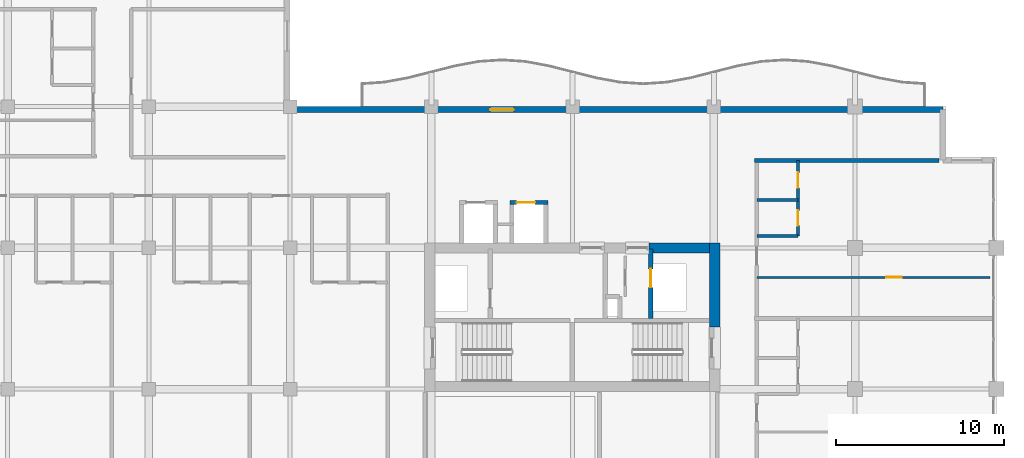
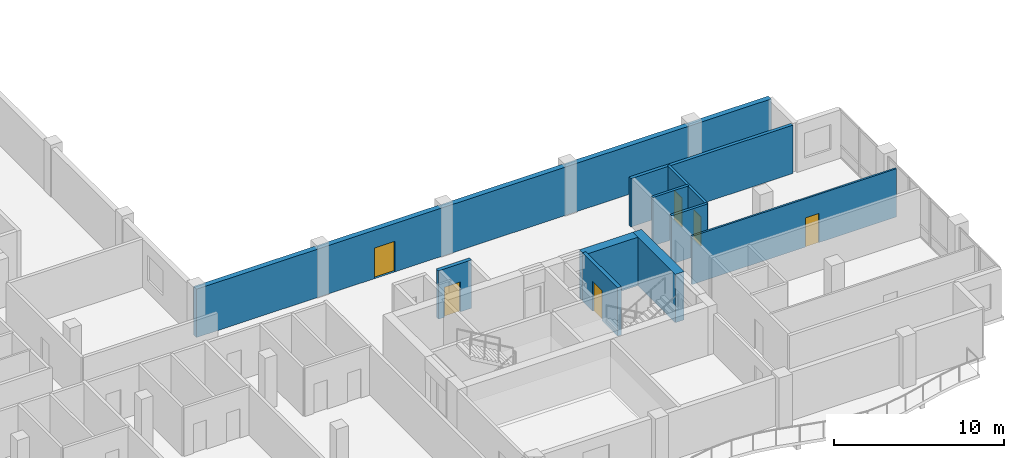
# One storey, part 8 of 16: 10 walls, 6 doors, 6 openings.
"""IFC4 building model written with IfcOpenShell, lengths in metres."""

from ifc_helpers import new_model, si_unit, direction, frame, frame_2d, origin, place, context, subcontext, project, spatial, rectangle, extrude, material, layer, layer_set, type_object, element, fill, save


model = new_model("IFC4")

# Units and contexts
model_context = context("Model", 3, precision=1e-05, world=origin(), true_north=direction((0.0, 1.0)))
body_context = subcontext(model_context, "Body", "Model", "MODEL_VIEW")
ifc_project = project(units=[si_unit("LENGTHUNIT", "METRE"), si_unit("AREAUNIT", "SQUARE_METRE"), si_unit("VOLUMEUNIT", "CUBIC_METRE"), si_unit("PLANEANGLEUNIT", "RADIAN"), si_unit("MASSUNIT", "GRAM", prefix="KILO")], contexts=[model_context])

# Site, building, storey
site_placement = place(None, origin())
site = spatial("IfcSite", under=ifc_project, at=site_placement, CompositionType="ELEMENT")
building_placement = place(site_placement, origin())
building = spatial("IfcBuilding", under=site, at=building_placement, Name="Koriwani Terraces Tower", CompositionType="ELEMENT")
storey_placement = place(building_placement, frame((0.0, 0.0, 245.300048828125)))
storey = spatial("IfcBuildingStorey", under=building, at=storey_placement, Name="L60", CompositionType="ELEMENT", Elevation=245.300048828125)

# Walls
ifc_material_1 = material(Name="Concrete C60/75", Category="concrete")
ifc_layer_1 = layer(ifc_material_1, 0.60009765625, Name="Concrete C60/75")
ifc_layer_set_1 = layer_set([ifc_layer_1], Name="Concrete C60/75")
wall_type_1 = type_object("IfcWallType", Name="WALL_CORE_RC_600", PredefinedType="SHEAR", material=ifc_layer_set_1)
wall_1_placement = place(storey_placement, frame((58.85009765625, 20.5, 0.0), z_axis=(0.0, 0.0, 1.0), x_axis=(0.0, 1.0, 0.0)))
element("IfcWall", 1, at=wall_1_placement, inside=storey, type_object=wall_type_1, Name="L60 East Split Core Shear Wall E2", PredefinedType="SHEAR", context=body_context, shape_type="SweptSolid", body=[
    extrude(rectangle(XDim=5.0, YDim=0.60009765625, at=frame_2d((2.5, 0.0))), origin(), (0.0, 0.0, 1.0), 3.469970703125),
])
wall_2_placement = place(storey_placement, frame((54.949951171875, 25.199951171875, 0.0), z_axis=(0.0, 0.0, 1.0), x_axis=(1.0, 0.0, 0.0)))
element("IfcWall", 2, at=wall_2_placement, inside=storey, type_object=wall_type_1, Name="L60 East Split Core Shear Wall N3", PredefinedType="SHEAR", context=body_context, shape_type="SweptSolid", body=[
    extrude(rectangle(XDim=3.60009765625, YDim=0.60009765625, at=frame_2d((1.800048828125, 0.0))), origin(), (0.0, 0.0, 1.0), 3.469970703125),
])
ifc_material_2 = material(Name="Autoclaved Cellular Concrete Blockwork", Category="masonry")
ifc_layer_2 = layer(ifc_material_2, 0.219970703125, Name="Autoclaved Cellular Concrete Blockwork")
ifc_layer_set_2 = layer_set([ifc_layer_2], Name="Autoclaved Cellular Concrete Blockwork")
wall_type_2 = type_object("IfcWallType", Name="WALL_DEMISING_220", PredefinedType="PARTITIONING", material=ifc_layer_set_2)
wall_3_placement = place(storey_placement, frame((61.199951171875, 30.39990234375, 0.0), z_axis=(0.0, 0.0, 1.0), x_axis=(1.0, 0.0, 0.0)))
element("IfcWall", 3, at=wall_3_placement, inside=storey, type_object=wall_type_2, Name="L60 Interior Wall WRDEME-L60-ETE", PredefinedType="PARTITIONING", context=body_context, shape_type="SweptSolid", body=[
    extrude(rectangle(XDim=10.97998046875, YDim=0.219970703125, at=frame_2d((5.489990234375, 0.0))), origin(), (0.0, 0.0, 1.0), 3.469970703125),
])

# Wall, opening, door
ifc_material_3 = material(Name="Concrete C50/60", Category="concrete")
ifc_layer_3 = layer(ifc_material_3, 0.35009765625, Name="Concrete C50/60")
ifc_layer_set_3 = layer_set([ifc_layer_3], Name="Concrete C50/60")
wall_type_3 = type_object("IfcWallType", Name="WALL_EXT_BRUTALIST_350", PredefinedType="STANDARD", material=ifc_layer_set_3)
wall_4_placement = place(storey_placement, frame((33.425048828125, 33.425048828125, 0.0), z_axis=(0.0, 0.0, 1.0), x_axis=(1.0, 0.0, 0.0)))
wall_4 = element("IfcWall", 4, at=wall_4_placement, inside=storey, type_object=wall_type_3, Name="L60 Fair-Faced Brutalist Exterior Wall (NE)", PredefinedType="STANDARD", context=body_context, shape_type="SweptSolid", body=[
    extrude(rectangle(XDim=39.0, YDim=0.35009765625, at=frame_2d((19.5, 0.0))), origin(), (0.0, 0.0, 1.0), 3.469970703125),
])
opening_1_placement = place(wall_4_placement, frame((12.074951171875, 0.0, 0.0)))
opening_1 = element("IfcOpeningElement", 5, at=opening_1_placement, cuts=wall_4, Name="Opening D-09", PredefinedType="OPENING", context=body_context, shape_type="SweptSolid", body=[
    extrude(rectangle(XDim=1.39990234375, YDim=2.199951171875, at=frame_2d((0.699951171875, 1.10009765625))), frame((0.0, 0.18505859375, 0.0), z_axis=(0.0, -1.0, 0.0), x_axis=(1.0, 0.0, 0.0)), (0.0, 0.0, 1.0), 0.3701171875),
])
ifc_material_4 = material(Name="Anodised Bronze Aluminium", Category="aluminium")
door_type_1 = type_object("IfcDoorType", Name="DOOR_BALCONY_GLAZED_1400X2200", OperationType="NOTDEFINED", PredefinedType="DOOR", material=ifc_material_4)
door_1_placement = place(opening_1_placement, origin())
door_1 = element("IfcDoor", 6, at=door_1_placement, inside=storey, type_object=door_type_1, Name="L60 Inner Court Balcony Glazed Door", OperationType="SINGLE_SWING_LEFT", OverallHeight=2.199951171875, OverallWidth=1.39990234375, PredefinedType="DOOR", context=body_context, shape_type="SweptSolid", body=[
    extrude(rectangle(XDim=1.39990234375, YDim=2.199951171875, at=frame_2d((0.699951171875, 1.10009765625))), frame((0.0, 0.02490234375, 0.0), z_axis=(0.0, -1.0, 0.0), x_axis=(1.0, 0.0, 0.0)), (0.0, 0.0, 1.0), 0.050048828125),
])
fill(opening_1, door_1)

ifc_material_5 = material(Name="Fire-Rated Acoustic Gypsum Partition", Category="masonry")
ifc_layer_4 = layer(ifc_material_5, 0.125, Name="Fire-Rated Acoustic Gypsum Partition")
ifc_layer_set_4 = layer_set([ifc_layer_4], Name="Fire-Rated Acoustic Gypsum Partition")
wall_type_4 = type_object("IfcWallType", Name="WALL_INT_125", PredefinedType="PARTITIONING", material=ifc_layer_set_4)
wall_5_placement = place(storey_placement, frame((61.35009765625, 23.449951171875, 0.0), z_axis=(0.0, 0.0, 1.0), x_axis=(1.0, 0.0, 0.0)))
wall_5 = element("IfcWall", 7, at=wall_5_placement, inside=storey, type_object=wall_type_4, Name="L60 Interior Wall WRBED1-L60-ETE-1", PredefinedType="PARTITIONING", context=body_context, shape_type="SweptSolid", body=[
    extrude(rectangle(XDim=13.869873046875, YDim=0.125, at=frame_2d((6.93505859375, 0.0))), origin(), (0.0, 0.0, 1.0), 3.469970703125),
])
opening_2_placement = place(wall_5_placement, frame((7.699951171875, 0.0, 0.0)))
opening_2 = element("IfcOpeningElement", 8, at=opening_2_placement, cuts=wall_5, Name="Opening D-06", PredefinedType="OPENING", context=body_context, shape_type="SweptSolid", body=[
    extrude(rectangle(XDim=0.919921875, YDim=2.10009765625, at=frame_2d((0.4599609375, 1.050048828125))), frame((0.0, 0.072509765625, 0.0), z_axis=(0.0, -1.0, 0.0), x_axis=(1.0, 0.0, 0.0)), (0.0, 0.0, 1.0), 0.14501953125),
])
ifc_material_6 = material(Name="Architectural Oak Fire Door", Category="wood")
door_type_2 = type_object("IfcDoorType", Name="DOOR_ROOM_INT_920X2100", OperationType="NOTDEFINED", PredefinedType="DOOR", material=ifc_material_6)
door_2_placement = place(opening_2_placement, origin())
door_2 = element("IfcDoor", 9, at=door_2_placement, inside=storey, type_object=door_type_2, Name="Apartment 60ETE2 Master Bedroom Door", OperationType="SINGLE_SWING_RIGHT", OverallHeight=2.10009765625, OverallWidth=0.919921875, PredefinedType="DOOR", context=body_context, shape_type="SweptSolid", body=[
    extrude(rectangle(XDim=0.919921875, YDim=2.10009765625, at=frame_2d((0.4599609375, 1.050048828125))), frame((0.0, 0.02490234375, 0.0), z_axis=(0.0, -1.0, 0.0), x_axis=(1.0, 0.0, 0.0)), (0.0, 0.0, 1.0), 0.050048828125),
])
fill(opening_2, door_2)

# Wall, openings, doors
ifc_layer_5 = layer(ifc_material_5, 0.179931640625, Name="Fire-Rated Acoustic Gypsum Partition")
ifc_layer_set_5 = layer_set([ifc_layer_5], Name="Fire-Rated Acoustic Gypsum Partition")
wall_type_5 = type_object("IfcWallType", Name="WALL_PLUMBING_180", PredefinedType="PLUMBINGWALL", material=ifc_layer_set_5)
wall_6_placement = place(storey_placement, frame((63.800048828125, 25.89990234375, 0.0), z_axis=(0.0, 0.0, 1.0), x_axis=(0.0, 1.0, 0.0)))
wall_6 = element("IfcWall", 10, at=wall_6_placement, inside=storey, type_object=wall_type_5, Name="L60 Interior Wall WRSVC-L60-ETE-1", PredefinedType="PLUMBINGWALL", context=body_context, shape_type="SweptSolid", body=[
    extrude(rectangle(XDim=4.5, YDim=0.179931640625, at=frame_2d((2.25, 0.0))), origin(), (0.0, 0.0, 1.0), 3.469970703125),
])
opening_3_placement = place(wall_6_placement, frame((0.6298828125, 0.0, 0.0)))
opening_3 = element("IfcOpeningElement", 11, at=opening_3_placement, cuts=wall_6, Name="Opening D-07", PredefinedType="OPENING", context=body_context, shape_type="SweptSolid", body=[
    extrude(rectangle(XDim=0.89990234375, YDim=2.10009765625, at=frame_2d((0.449951171875, 1.050048828125))), frame((0.0, 0.10009765625, 0.0), z_axis=(0.0, -1.0, 0.0), x_axis=(1.0, 0.0, 0.0)), (0.0, 0.0, 1.0), 0.199951171875),
])
opening_4_placement = place(wall_6_placement, frame((2.8701171875, 0.0, 0.0)))
opening_4 = element("IfcOpeningElement", 12, at=opening_4_placement, cuts=wall_6, Name="Opening D-06", PredefinedType="OPENING", context=body_context, shape_type="SweptSolid", body=[
    extrude(rectangle(XDim=0.919921875, YDim=2.10009765625, at=frame_2d((0.4599609375, 1.050048828125))), frame((0.0, 0.10009765625, 0.0), z_axis=(0.0, -1.0, 0.0), x_axis=(1.0, 0.0, 0.0)), (0.0, 0.0, 1.0), 0.199951171875),
])
door_type_3 = type_object("IfcDoorType", Name="DOOR_BATH_INT_900X2100", OperationType="NOTDEFINED", PredefinedType="DOOR", material=ifc_material_6)
door_3_placement = place(opening_3_placement, origin())
door_3 = element("IfcDoor", 13, at=door_3_placement, inside=storey, type_object=door_type_3, Name="Apartment 60ETE2 Bathroom Door", OperationType="SINGLE_SWING_RIGHT", OverallHeight=2.10009765625, OverallWidth=0.89990234375, PredefinedType="DOOR", context=body_context, shape_type="SweptSolid", body=[
    extrude(rectangle(XDim=0.89990234375, YDim=2.10009765625, at=frame_2d((0.449951171875, 1.050048828125))), frame((0.0, 0.02490234375, 0.0), z_axis=(0.0, -1.0, 0.0), x_axis=(1.0, 0.0, 0.0)), (0.0, 0.0, 1.0), 0.050048828125),
])
fill(opening_3, door_3)
door_4_placement = place(opening_4_placement, origin())
door_4 = element("IfcDoor", 14, at=door_4_placement, inside=storey, type_object=door_type_2, Name="Apartment 60ETE2 Kitchen Door", OperationType="SINGLE_SWING_LEFT", OverallHeight=2.10009765625, OverallWidth=0.919921875, PredefinedType="DOOR", context=body_context, shape_type="SweptSolid", body=[
    extrude(rectangle(XDim=0.919921875, YDim=2.10009765625, at=frame_2d((0.4599609375, 1.050048828125))), frame((0.0, 0.02490234375, 0.0), z_axis=(0.0, -1.0, 0.0), x_axis=(1.0, 0.0, 0.0)), (0.0, 0.0, 1.0), 0.050048828125),
])
fill(opening_4, door_4)

# Walls
for number, where, z_axis, x_axis, name in (
    (15, (61.35009765625, 25.89990234375, 0.0), (0.0, 0.0, 1.0), (1.0, 0.0, 0.0), "L60 Interior Wall WRSVCS-L60-ETE-1"),
    (16, (61.35009765625, 28.06005859375, 0.0), (0.0, 0.0, 1.0), (1.0, 0.0, 0.0), "L60 Interior Wall WRSVCM-L60-ETE-1"),
):
    element("IfcWall", number, at=place(storey_placement, frame(where, z_axis=z_axis, x_axis=x_axis)), inside=storey, type_object=wall_type_5, Name=name, PredefinedType="PLUMBINGWALL", context=body_context, shape_type="SweptSolid", body=[
        extrude(rectangle(XDim=2.449951171875, YDim=0.179931640625, at=frame_2d((1.22509765625, 0.0))), origin(), (0.0, 0.0, 1.0), 3.469970703125),
    ])

# Wall, opening, door
ifc_material_7 = material(Name="Concrete C40/50", Category="concrete")
ifc_layer_6 = layer(ifc_material_7, 0.25, Name="Concrete C40/50")
ifc_layer_set_6 = layer_set([ifc_layer_6], Name="Concrete C40/50")
wall_type_6 = type_object("IfcWallType", Name="WALL_SHAFT_RATED_250", PredefinedType="SOLIDWALL", material=ifc_layer_set_6)
wall_7_placement = place(storey_placement, frame((55.050048828125, 21.0, 0.0), z_axis=(0.0, 0.0, 1.0), x_axis=(0.0, 1.0, 0.0)))
wall_7 = element("IfcWall", 17, at=wall_7_placement, inside=storey, type_object=wall_type_6, Name="L60 Interior Wall WIN-CE-L60-SE", PredefinedType="SOLIDWALL", context=body_context, shape_type="SweptSolid", body=[
    extrude(rectangle(XDim=4.14990234375, YDim=0.25, at=frame_2d((2.074951171875, 0.0))), origin(), (0.0, 0.0, 1.0), 3.469970703125),
])
opening_5_placement = place(wall_7_placement, frame((1.85009765625, 0.0, 0.0)))
opening_5 = element("IfcOpeningElement", 18, at=opening_5_placement, cuts=wall_7, Name="Opening LD-01", PredefinedType="OPENING", context=body_context, shape_type="SweptSolid", body=[
    extrude(rectangle(XDim=1.10009765625, YDim=2.14990234375, at=frame_2d((0.550048828125, 1.074951171875))), frame((0.0, 0.135009765625, 0.0), z_axis=(0.0, -1.0, 0.0), x_axis=(1.0, 0.0, 0.0)), (0.0, 0.0, 1.0), 0.27001953125),
])
ifc_material_8 = material(Name="Steel ASTM A572 Grade 50", Category="steel")
door_type_4 = type_object("IfcDoorType", Name="DOOR_LIFT_LANDING_1100X2200", OperationType="NOTDEFINED", PredefinedType="DOOR", material=ifc_material_8)
door_5_placement = place(opening_5_placement, origin())
door_5 = element("IfcDoor", 19, at=door_5_placement, inside=storey, type_object=door_type_4, Name="L60 Goods Lift SE-02 Landing Door", OperationType="SLIDING_TO_LEFT", OverallHeight=2.14990234375, OverallWidth=1.10009765625, PredefinedType="DOOR", context=body_context, shape_type="SweptSolid", body=[
    extrude(rectangle(XDim=1.10009765625, YDim=2.14990234375, at=frame_2d((0.550048828125, 1.074951171875))), frame((0.0, 0.02490234375, 0.0), z_axis=(0.0, -1.0, 0.0), x_axis=(1.0, 0.0, 0.0)), (0.0, 0.0, 1.0), 0.050048828125),
])
fill(opening_5, door_5)

wall_8_placement = place(storey_placement, frame((46.675048828125, 27.89990234375, 0.0), z_axis=(0.0, 0.0, 1.0), x_axis=(1.0, 0.0, 0.0)))
wall_8 = element("IfcWall", 20, at=wall_8_placement, inside=storey, type_object=wall_type_6, Name="L60 Interior Wall WIN-LF-PE-H4-L60-F", PredefinedType="SOLIDWALL", context=body_context, shape_type="SweptSolid", body=[
    extrude(rectangle(XDim=2.25, YDim=0.25, at=frame_2d((1.125, 0.0))), origin(), (0.0, 0.0, 1.0), 3.469970703125),
])
opening_6_placement = place(wall_8_placement, frame((0.39990234375, 0.0, 0.0)))
opening_6 = element("IfcOpeningElement", 21, at=opening_6_placement, cuts=wall_8, Name="Opening LD-01", PredefinedType="OPENING", context=body_context, shape_type="SweptSolid", body=[
    extrude(rectangle(XDim=1.10009765625, YDim=2.14990234375, at=frame_2d((0.550048828125, 1.074951171875))), frame((0.0, 0.135009765625, 0.0), z_axis=(0.0, -1.0, 0.0), x_axis=(1.0, 0.0, 0.0)), (0.0, 0.0, 1.0), 0.27001953125),
])
door_6_placement = place(opening_6_placement, origin())
door_6 = element("IfcDoor", 22, at=door_6_placement, inside=storey, type_object=door_type_4, Name="L60 Passenger Lift PE-H4 Landing Door", OperationType="SLIDING_TO_LEFT", OverallHeight=2.14990234375, OverallWidth=1.10009765625, PredefinedType="DOOR", context=body_context, shape_type="SweptSolid", body=[
    extrude(rectangle(XDim=1.10009765625, YDim=2.14990234375, at=frame_2d((0.550048828125, 1.074951171875))), frame((0.0, 0.02490234375, 0.0), z_axis=(0.0, -1.0, 0.0), x_axis=(1.0, 0.0, 0.0)), (0.0, 0.0, 1.0), 0.050048828125),
])
fill(opening_6, door_6)

save(model, "model.ifc")
